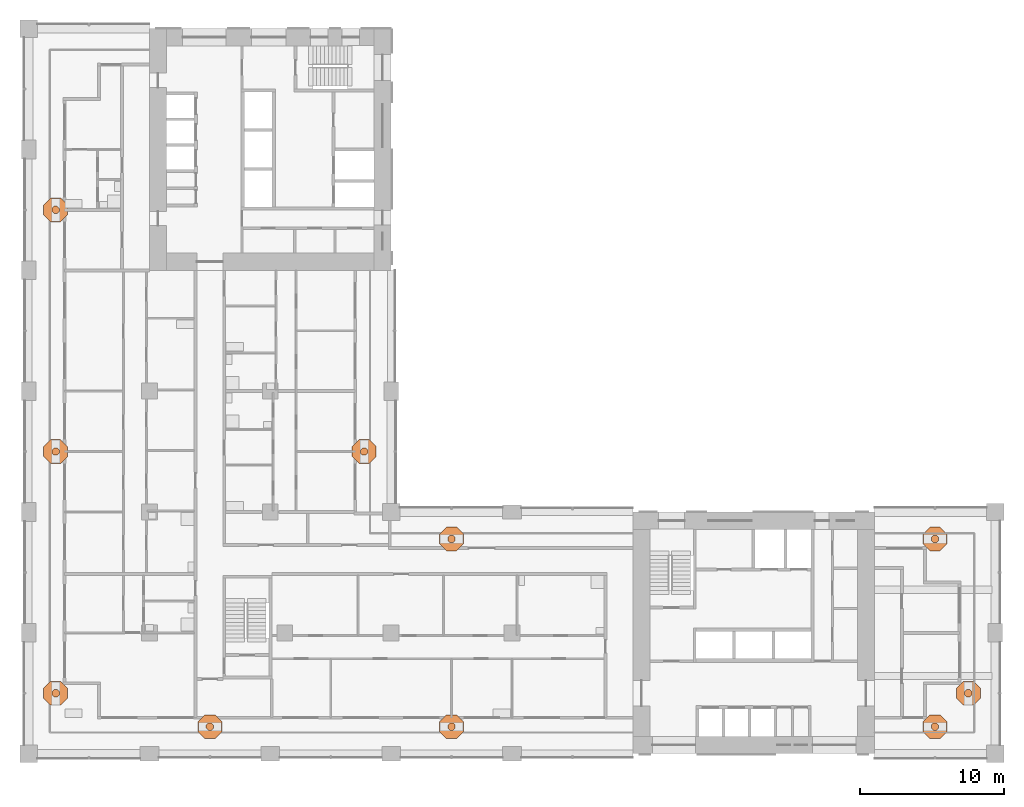
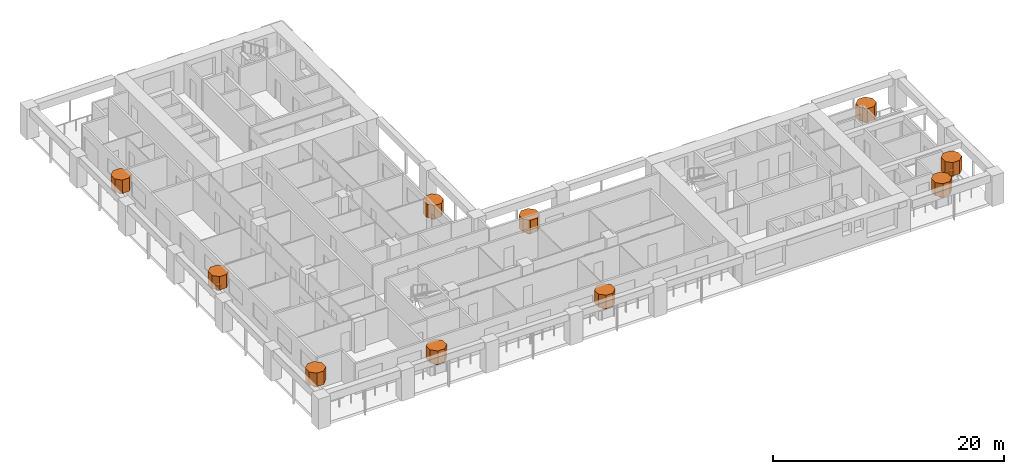
# One storey, part 18 of 18: 20 geographic elements.
"""IFC4 building model written with IfcOpenShell, lengths in metres."""

from ifc_helpers import new_model, si_unit, direction, frame, origin, place, context, subcontext, project, spatial, polyline, outline, extrude, material, element, save


model = new_model("IFC4")

# Units and contexts
model_context = context("Model", 3, precision=1e-05, world=origin(), true_north=direction((0.0, 1.0)))
body_context = subcontext(model_context, "Body", "Model", "MODEL_VIEW")
ifc_project = project(units=[si_unit("LENGTHUNIT", "METRE"), si_unit("AREAUNIT", "SQUARE_METRE"), si_unit("VOLUMEUNIT", "CUBIC_METRE"), si_unit("PLANEANGLEUNIT", "RADIAN"), si_unit("MASSUNIT", "GRAM", prefix="KILO")], contexts=[model_context])

# Site, building, storey
site_placement = place(None, origin())
site = spatial("IfcSite", under=ifc_project, at=site_placement, CompositionType="ELEMENT")
building_placement = place(site_placement, origin())
building = spatial("IfcBuilding", under=site, at=building_placement, Name="Vermilion Gate Residences", CompositionType="ELEMENT")
storey_placement = place(building_placement, frame((0.0, 0.0, 84.699951171875)))
storey = spatial("IfcBuildingStorey", under=building, at=storey_placement, Name="L20", CompositionType="ELEMENT", Elevation=84.699951171875)

# Geographic elements
ifc_material = material(Name="Foliage")
geographic_element_1_placement = place(storey_placement, frame((0.0, 0.0, 0.900146484375)))
element("IfcGeographicElement", 1, at=geographic_element_1_placement, inside=storey, material=ifc_material, Name="Tree (maple)", ObjectType="TREE", PredefinedType="USERDEFINED", context=body_context, shape_type="SweptSolid", body=[
    extrude(outline(polyline([(12.85400390625, 10.380126953125), (12.705078125, 10.529052734375), (12.494873046875, 10.529052734375), (12.345947265625, 10.380126953125), (12.345947265625, 10.169921875), (12.494873046875, 10.02099609375), (12.705078125, 10.02099609375), (12.85400390625, 10.169921875), (12.85400390625, 10.380126953125)])), origin(), (0.0, 0.0, 1.0), 0.52001953125),
])
geographic_element_2_placement = place(storey_placement, frame((0.0, 0.0, 1.420166015625)))
element("IfcGeographicElement", 2, at=geographic_element_2_placement, inside=storey, material=ifc_material, Name="Tree crown (maple)", ObjectType="TREE", PredefinedType="USERDEFINED", context=body_context, shape_type="SweptSolid", body=[
    extrude(outline(polyline([(13.431396484375, 10.619384765625), (12.9443359375, 11.1064453125), (12.255615234375, 11.1064453125), (11.7685546875, 10.619384765625), (11.7685546875, 9.9306640625), (12.255615234375, 9.443603515625), (12.9443359375, 9.443603515625), (13.431396484375, 9.9306640625), (13.431396484375, 10.619384765625)])), origin(), (0.0, 0.0, 1.0), 1.39990234375),
])
geographic_element_3_placement = place(storey_placement, frame((0.0, 0.0, 0.900146484375)))
element("IfcGeographicElement", 3, at=geographic_element_3_placement, inside=storey, material=ifc_material, Name="Tree (black pine)", ObjectType="TREE", PredefinedType="USERDEFINED", context=body_context, shape_type="SweptSolid", body=[
    extrude(outline(polyline([(29.654052734375, 10.380126953125), (29.505126953125, 10.529052734375), (29.294921875, 10.529052734375), (29.14599609375, 10.380126953125), (29.14599609375, 10.169921875), (29.294921875, 10.02099609375), (29.505126953125, 10.02099609375), (29.654052734375, 10.169921875), (29.654052734375, 10.380126953125)])), origin(), (0.0, 0.0, 1.0), 0.52001953125),
])
geographic_element_4_placement = place(storey_placement, frame((0.0, 0.0, 1.420166015625)))
element("IfcGeographicElement", 4, at=geographic_element_4_placement, inside=storey, material=ifc_material, Name="Tree crown (black pine)", ObjectType="TREE", PredefinedType="USERDEFINED", context=body_context, shape_type="SweptSolid", body=[
    extrude(outline(polyline([(30.2314453125, 10.619384765625), (29.744384765625, 11.1064453125), (29.0556640625, 11.1064453125), (28.568603515625, 10.619384765625), (28.568603515625, 9.9306640625), (29.0556640625, 9.443603515625), (29.744384765625, 9.443603515625), (30.2314453125, 9.9306640625), (30.2314453125, 10.619384765625)])), origin(), (0.0, 0.0, 1.0), 1.39990234375),
])
geographic_element_5_placement = place(storey_placement, frame((0.0, 0.0, 0.900146484375)))
element("IfcGeographicElement", 5, at=geographic_element_5_placement, inside=storey, material=ifc_material, Name="Tree (black pine)", ObjectType="TREE", PredefinedType="USERDEFINED", context=body_context, shape_type="SweptSolid", body=[
    extrude(outline(polyline([(63.254150390625, 10.380126953125), (63.105224609375, 10.529052734375), (62.894775390625, 10.529052734375), (62.745849609375, 10.380126953125), (62.745849609375, 10.169921875), (62.894775390625, 10.02099609375), (63.105224609375, 10.02099609375), (63.254150390625, 10.169921875), (63.254150390625, 10.380126953125)])), origin(), (0.0, 0.0, 1.0), 0.52001953125),
])
geographic_element_6_placement = place(storey_placement, frame((0.0, 0.0, 1.420166015625)))
element("IfcGeographicElement", 6, at=geographic_element_6_placement, inside=storey, material=ifc_material, Name="Tree crown (black pine)", ObjectType="TREE", PredefinedType="USERDEFINED", context=body_context, shape_type="SweptSolid", body=[
    extrude(outline(polyline([(63.83154296875, 10.619384765625), (63.344482421875, 11.1064453125), (62.655517578125, 11.1064453125), (62.16845703125, 10.619384765625), (62.16845703125, 9.9306640625), (62.655517578125, 9.443603515625), (63.344482421875, 9.443603515625), (63.83154296875, 9.9306640625), (63.83154296875, 10.619384765625)])), origin(), (0.0, 0.0, 1.0), 1.39990234375),
])
geographic_element_7_placement = place(storey_placement, frame((0.0, 0.0, 0.900146484375)))
element("IfcGeographicElement", 7, at=geographic_element_7_placement, inside=storey, material=ifc_material, Name="Tree (maple)", ObjectType="TREE", PredefinedType="USERDEFINED", context=body_context, shape_type="SweptSolid", body=[
    extrude(outline(polyline([(65.5791015625, 12.705078125), (65.43017578125, 12.85400390625), (65.2197265625, 12.85400390625), (65.07080078125, 12.705078125), (65.07080078125, 12.494873046875), (65.2197265625, 12.345947265625), (65.43017578125, 12.345947265625), (65.5791015625, 12.494873046875), (65.5791015625, 12.705078125)])), origin(), (0.0, 0.0, 1.0), 0.52001953125),
])
geographic_element_8_placement = place(storey_placement, frame((0.0, 0.0, 1.420166015625)))
element("IfcGeographicElement", 8, at=geographic_element_8_placement, inside=storey, material=ifc_material, Name="Tree crown (maple)", ObjectType="TREE", PredefinedType="USERDEFINED", context=body_context, shape_type="SweptSolid", body=[
    extrude(outline(polyline([(66.156494140625, 12.9443359375), (65.66943359375, 13.431396484375), (64.980712890625, 13.431396484375), (64.493408203125, 12.9443359375), (64.493408203125, 12.255615234375), (64.980712890625, 11.7685546875), (65.66943359375, 11.7685546875), (66.156494140625, 12.255615234375), (66.156494140625, 12.9443359375)])), origin(), (0.0, 0.0, 1.0), 1.39990234375),
])
geographic_element_9_placement = place(storey_placement, frame((0.0, 0.0, 0.900146484375)))
element("IfcGeographicElement", 9, at=geographic_element_9_placement, inside=storey, material=ifc_material, Name="Tree (black pine)", ObjectType="TREE", PredefinedType="USERDEFINED", context=body_context, shape_type="SweptSolid", body=[
    extrude(outline(polyline([(29.654052734375, 23.43017578125), (29.505126953125, 23.5791015625), (29.294921875, 23.5791015625), (29.14599609375, 23.43017578125), (29.14599609375, 23.2197265625), (29.294921875, 23.07080078125), (29.505126953125, 23.07080078125), (29.654052734375, 23.2197265625), (29.654052734375, 23.43017578125)])), origin(), (0.0, 0.0, 1.0), 0.52001953125),
])
geographic_element_10_placement = place(storey_placement, frame((0.0, 0.0, 1.420166015625)))
element("IfcGeographicElement", 10, at=geographic_element_10_placement, inside=storey, material=ifc_material, Name="Tree crown (black pine)", ObjectType="TREE", PredefinedType="USERDEFINED", context=body_context, shape_type="SweptSolid", body=[
    extrude(outline(polyline([(30.2314453125, 23.66943359375), (29.744384765625, 24.156494140625), (29.0556640625, 24.156494140625), (28.568603515625, 23.66943359375), (28.568603515625, 22.980712890625), (29.0556640625, 22.493408203125), (29.744384765625, 22.493408203125), (30.2314453125, 22.980712890625), (30.2314453125, 23.66943359375)])), origin(), (0.0, 0.0, 1.0), 1.39990234375),
])
geographic_element_11_placement = place(storey_placement, frame((0.0, 0.0, 0.900146484375)))
element("IfcGeographicElement", 11, at=geographic_element_11_placement, inside=storey, material=ifc_material, Name="Tree (black pine)", ObjectType="TREE", PredefinedType="USERDEFINED", context=body_context, shape_type="SweptSolid", body=[
    extrude(outline(polyline([(63.254150390625, 23.43017578125), (63.105224609375, 23.5791015625), (62.894775390625, 23.5791015625), (62.745849609375, 23.43017578125), (62.745849609375, 23.2197265625), (62.894775390625, 23.07080078125), (63.105224609375, 23.07080078125), (63.254150390625, 23.2197265625), (63.254150390625, 23.43017578125)])), origin(), (0.0, 0.0, 1.0), 0.52001953125),
])
geographic_element_12_placement = place(storey_placement, frame((0.0, 0.0, 1.420166015625)))
element("IfcGeographicElement", 12, at=geographic_element_12_placement, inside=storey, material=ifc_material, Name="Tree crown (black pine)", ObjectType="TREE", PredefinedType="USERDEFINED", context=body_context, shape_type="SweptSolid", body=[
    extrude(outline(polyline([(63.83154296875, 23.66943359375), (63.344482421875, 24.156494140625), (62.655517578125, 24.156494140625), (62.16845703125, 23.66943359375), (62.16845703125, 22.980712890625), (62.655517578125, 22.493408203125), (63.344482421875, 22.493408203125), (63.83154296875, 22.980712890625), (63.83154296875, 23.66943359375)])), origin(), (0.0, 0.0, 1.0), 1.39990234375),
])
geographic_element_13_placement = place(storey_placement, frame((0.0, 0.0, 0.900146484375)))
element("IfcGeographicElement", 13, at=geographic_element_13_placement, inside=storey, material=ifc_material, Name="Tree (black pine)", ObjectType="TREE", PredefinedType="USERDEFINED", context=body_context, shape_type="SweptSolid", body=[
    extrude(outline(polyline([(23.5791015625, 29.505126953125), (23.43017578125, 29.654052734375), (23.2197265625, 29.654052734375), (23.07080078125, 29.505126953125), (23.07080078125, 29.294921875), (23.2197265625, 29.14599609375), (23.43017578125, 29.14599609375), (23.5791015625, 29.294921875), (23.5791015625, 29.505126953125)])), origin(), (0.0, 0.0, 1.0), 0.52001953125),
])
geographic_element_14_placement = place(storey_placement, frame((0.0, 0.0, 1.420166015625)))
element("IfcGeographicElement", 14, at=geographic_element_14_placement, inside=storey, material=ifc_material, Name="Tree crown (black pine)", ObjectType="TREE", PredefinedType="USERDEFINED", context=body_context, shape_type="SweptSolid", body=[
    extrude(outline(polyline([(24.156494140625, 29.744384765625), (23.66943359375, 30.2314453125), (22.980712890625, 30.2314453125), (22.493408203125, 29.744384765625), (22.493408203125, 29.0556640625), (22.980712890625, 28.568603515625), (23.66943359375, 28.568603515625), (24.156494140625, 29.0556640625), (24.156494140625, 29.744384765625)])), origin(), (0.0, 0.0, 1.0), 1.39990234375),
])
geographic_element_15_placement = place(storey_placement, frame((0.0, 0.0, 0.900146484375)))
element("IfcGeographicElement", 15, at=geographic_element_15_placement, inside=storey, material=ifc_material, Name="Tree (maple)", ObjectType="TREE", PredefinedType="USERDEFINED", context=body_context, shape_type="SweptSolid", body=[
    extrude(outline(polyline([(2.129150390625, 12.705078125), (1.980224609375, 12.85400390625), (1.769775390625, 12.85400390625), (1.620849609375, 12.705078125), (1.620849609375, 12.494873046875), (1.769775390625, 12.345947265625), (1.980224609375, 12.345947265625), (2.129150390625, 12.494873046875), (2.129150390625, 12.705078125)])), origin(), (0.0, 0.0, 1.0), 0.52001953125),
])
geographic_element_16_placement = place(storey_placement, frame((0.0, 0.0, 1.420166015625)))
element("IfcGeographicElement", 16, at=geographic_element_16_placement, inside=storey, material=ifc_material, Name="Tree crown (maple)", ObjectType="TREE", PredefinedType="USERDEFINED", context=body_context, shape_type="SweptSolid", body=[
    extrude(outline(polyline([(2.70654296875, 12.9443359375), (2.219482421875, 13.431396484375), (1.530517578125, 13.431396484375), (1.04345703125, 12.9443359375), (1.04345703125, 12.255615234375), (1.530517578125, 11.7685546875), (2.219482421875, 11.7685546875), (2.70654296875, 12.255615234375), (2.70654296875, 12.9443359375)])), origin(), (0.0, 0.0, 1.0), 1.39990234375),
])
geographic_element_17_placement = place(storey_placement, frame((0.0, 0.0, 0.900146484375)))
element("IfcGeographicElement", 17, at=geographic_element_17_placement, inside=storey, material=ifc_material, Name="Tree (black pine)", ObjectType="TREE", PredefinedType="USERDEFINED", context=body_context, shape_type="SweptSolid", body=[
    extrude(outline(polyline([(2.129150390625, 29.505126953125), (1.980224609375, 29.654052734375), (1.769775390625, 29.654052734375), (1.620849609375, 29.505126953125), (1.620849609375, 29.294921875), (1.769775390625, 29.14599609375), (1.980224609375, 29.14599609375), (2.129150390625, 29.294921875), (2.129150390625, 29.505126953125)])), origin(), (0.0, 0.0, 1.0), 0.52001953125),
])
geographic_element_18_placement = place(storey_placement, frame((0.0, 0.0, 1.420166015625)))
element("IfcGeographicElement", 18, at=geographic_element_18_placement, inside=storey, material=ifc_material, Name="Tree crown (black pine)", ObjectType="TREE", PredefinedType="USERDEFINED", context=body_context, shape_type="SweptSolid", body=[
    extrude(outline(polyline([(2.70654296875, 29.744384765625), (2.219482421875, 30.2314453125), (1.530517578125, 30.2314453125), (1.04345703125, 29.744384765625), (1.04345703125, 29.0556640625), (1.530517578125, 28.568603515625), (2.219482421875, 28.568603515625), (2.70654296875, 29.0556640625), (2.70654296875, 29.744384765625)])), origin(), (0.0, 0.0, 1.0), 1.39990234375),
])
geographic_element_19_placement = place(storey_placement, frame((0.0, 0.0, 0.900146484375)))
element("IfcGeographicElement", 19, at=geographic_element_19_placement, inside=storey, material=ifc_material, Name="Tree (maple)", ObjectType="TREE", PredefinedType="USERDEFINED", context=body_context, shape_type="SweptSolid", body=[
    extrude(outline(polyline([(2.129150390625, 46.30517578125), (1.980224609375, 46.4541015625), (1.769775390625, 46.4541015625), (1.620849609375, 46.30517578125), (1.620849609375, 46.0947265625), (1.769775390625, 45.94580078125), (1.980224609375, 45.94580078125), (2.129150390625, 46.0947265625), (2.129150390625, 46.30517578125)])), origin(), (0.0, 0.0, 1.0), 0.52001953125),
])
geographic_element_20_placement = place(storey_placement, frame((0.0, 0.0, 1.420166015625)))
element("IfcGeographicElement", 20, at=geographic_element_20_placement, inside=storey, material=ifc_material, Name="Tree crown (maple)", ObjectType="TREE", PredefinedType="USERDEFINED", context=body_context, shape_type="SweptSolid", body=[
    extrude(outline(polyline([(2.70654296875, 46.54443359375), (2.219482421875, 47.031494140625), (1.530517578125, 47.031494140625), (1.04345703125, 46.54443359375), (1.04345703125, 45.855712890625), (1.530517578125, 45.368408203125), (2.219482421875, 45.368408203125), (2.70654296875, 45.855712890625), (2.70654296875, 46.54443359375)])), origin(), (0.0, 0.0, 1.0), 1.39990234375),
])

save(model, "model.ifc")
